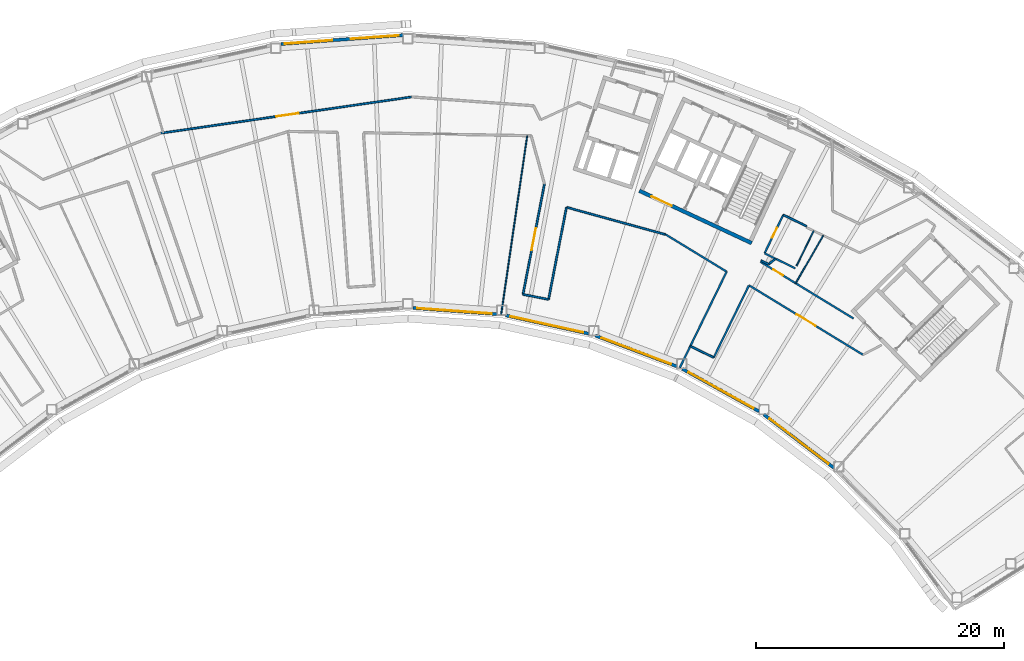
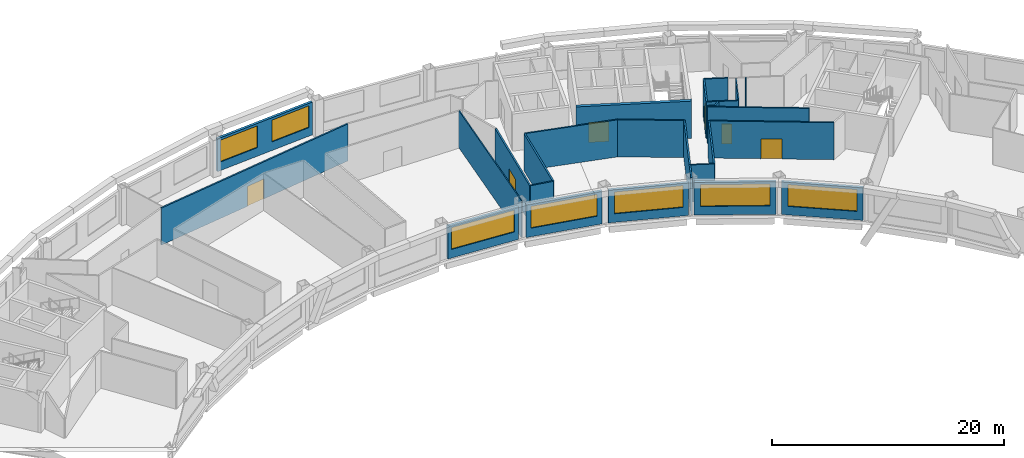
# One storey, part 7 of 13: 26 walls, 7 windows, 6 doors, 13 openings.
"""IFC4 building model written with IfcOpenShell, lengths in metres."""

from ifc_helpers import new_model, si_unit, direction, frame, frame_2d, origin, place, context, subcontext, project, spatial, rectangle, extrude, material, layer, layer_set, type_object, element, fill, save


model = new_model("IFC4")

# Units and contexts
model_context = context("Model", 3, precision=1e-05, world=origin(), true_north=direction((0.0, 1.0)))
body_context = subcontext(model_context, "Body", "Model", "MODEL_VIEW")
ifc_project = project(units=[si_unit("LENGTHUNIT", "METRE"), si_unit("AREAUNIT", "SQUARE_METRE"), si_unit("VOLUMEUNIT", "CUBIC_METRE"), si_unit("PLANEANGLEUNIT", "RADIAN"), si_unit("MASSUNIT", "GRAM", prefix="KILO")], contexts=[model_context])

# Site, building, storey
site_placement = place(None, origin())
site = spatial("IfcSite", under=ifc_project, at=site_placement, CompositionType="ELEMENT")
building_placement = place(site_placement, origin())
building = spatial("IfcBuilding", under=site, at=building_placement, Name="Tuul Gate Civic Tower", CompositionType="ELEMENT")
storey_placement = place(building_placement, frame((0.0, 0.0, 306.800048828125)))
storey = spatial("IfcBuildingStorey", under=building, at=storey_placement, Name="Level 69", CompositionType="ELEMENT", Elevation=306.800048828125)

# Wall, opening, door
ifc_material_1 = material(Name="Concrete C50/60", Category="concrete")
ifc_layer_1 = layer(ifc_material_1, 0.300048828125)
ifc_layer_set_1 = layer_set([ifc_layer_1], Name="Concrete C50/60")
wall_type_1 = type_object("IfcWallType", Name="Core wall C50/60", PredefinedType="SHEAR", material=ifc_layer_set_1)
wall_1_placement = place(storey_placement, frame((34.5283203125, -7.25, 0.0), z_axis=(0.0, 0.0, 1.0), x_axis=(-0.906310338845, 0.422612789327, 0.0)))
wall_1 = element("IfcWall", 1, at=wall_1_placement, inside=storey, type_object=wall_type_1, Name="Core wall", PredefinedType="SHEAR", context=body_context, shape_type="SweptSolid", body=[
    extrude(rectangle(XDim=9.999755859375, YDim=0.300048828125, at=frame_2d((5.0, 0.0))), origin(), (0.0, 0.0, 1.0), 3.89990234375),
])
opening_1_placement = place(wall_1_placement, frame((7.125, 0.0, 0.0)))
opening_1 = element("IfcOpeningElement", 2, at=opening_1_placement, cuts=wall_1, Name="Opening LB-E3-LOBBY-1", PredefinedType="OPENING", context=body_context, shape_type="SweptSolid", body=[
    extrude(rectangle(XDim=1.800048828125, YDim=2.10009765625, at=frame_2d((0.89990234375, 1.050048828125))), frame((0.0, 0.16015625, 0.0), z_axis=(0.0, -1.0, 0.0), x_axis=(1.0, 0.0, 0.0)), (0.0, 0.0, 1.0), 0.320068359375),
])
ifc_material_2 = material(Name="Steel", Category="steel")
door_type_1 = type_object("IfcDoorType", Name="Lobby door", OperationType="DOUBLE_DOOR_SINGLE_SWING", PredefinedType="DOOR", material=ifc_material_2)
door_1_placement = place(opening_1_placement, frame((1.800048828125, 0.0, 0.0), z_axis=(0.0, 0.0, 1.0), x_axis=(-1.0, 0.0, 0.0)))
door_1 = element("IfcDoor", 3, at=door_1_placement, inside=storey, type_object=door_type_1, Name="Lobby door E3-LOBBY", OperationType="DOUBLE_DOOR_SINGLE_SWING", OverallHeight=2.10009765625, OverallWidth=1.800048828125, PredefinedType="DOOR", context=body_context, shape_type="SweptSolid", body=[
    extrude(rectangle(XDim=1.800048828125, YDim=2.10009765625, at=frame_2d((0.900146484375, 1.050048828125))), frame((0.0, 0.02490234375, 0.0), z_axis=(0.0, -1.0, 0.0), x_axis=(1.0, 0.0, 0.0)), (0.0, 0.0, 1.0), 0.050048828125),
])
fill(opening_1, door_1)

ifc_material_3 = material(Name="Gypsum board partition")
ifc_layer_2 = layer(ifc_material_3, 0.14990234375)
ifc_layer_set_2 = layer_set([ifc_layer_2], Name="Gypsum board partition")
wall_type_2 = type_object("IfcWallType", Name="Corridor wall P150", PredefinedType="PARTITIONING", material=ifc_layer_set_2)
wall_2_placement = place(storey_placement, frame((-13.15380859375, 1.62109375, 0.0), z_axis=(0.0, 0.0, 1.0), x_axis=(0.989709337056, 0.143092376259, 0.0)))
wall_2 = element("IfcWall", 4, at=wall_2_placement, inside=storey, type_object=wall_type_2, Name="p019", PredefinedType="PARTITIONING", context=body_context, shape_type="SweptSolid", body=[
    extrude(rectangle(XDim=20.451904296875, YDim=0.14990234375, at=frame_2d((10.22607421875, 0.0))), origin(), (0.0, 0.0, 1.0), 3.89990234375),
])
opening_2_placement = place(wall_2_placement, frame((9.4306640625, 0.0, 0.0)))
opening_2 = element("IfcOpeningElement", 5, at=opening_2_placement, cuts=wall_2, Name="Opening Z-D03", PredefinedType="OPENING", context=body_context, shape_type="SweptSolid", body=[
    extrude(rectangle(XDim=1.800048828125, YDim=2.10009765625, at=frame_2d((0.89990234375, 1.050048828125))), frame((0.0, 0.0849609375, 0.0), z_axis=(0.0, -1.0, 0.0), x_axis=(1.0, 0.0, 0.0)), (0.0, 0.0, 1.0), 0.169921875),
])
ifc_material_4 = material(Name="Timber door leaf, double", Category="wood")
door_type_2 = type_object("IfcDoorType", Name="Door D18", OperationType="DOUBLE_DOOR_SINGLE_SWING", PredefinedType="DOOR", material=ifc_material_4)
door_2_placement = place(opening_2_placement, origin())
door_2 = element("IfcDoor", 6, at=door_2_placement, inside=storey, type_object=door_type_2, Name="Door Z-D03", OperationType="DOUBLE_DOOR_SINGLE_SWING", OverallHeight=2.10009765625, OverallWidth=1.800048828125, PredefinedType="DOOR", context=body_context, shape_type="SweptSolid", body=[
    extrude(rectangle(XDim=1.800048828125, YDim=2.10009765625, at=frame_2d((0.89990234375, 1.050048828125))), frame((0.0, 0.02490234375, 0.0), z_axis=(0.0, -1.0, 0.0), x_axis=(1.0, 0.0, 0.0)), (0.0, 0.0, 1.0), 0.050048828125),
])
fill(opening_2, door_2)

# Wall
wall_3_placement = place(storey_placement, frame((27.579345703125, -6.547119140625, 0.0), z_axis=(0.0, 0.0, 1.0), x_axis=(0.853858797308, -0.520504711084, 0.0)))
element("IfcWall", 7, at=wall_3_placement, inside=storey, type_object=wall_type_2, Name="p029", PredefinedType="PARTITIONING", context=body_context, shape_type="SweptSolid", body=[
    extrude(rectangle(XDim=5.747802734375, YDim=0.14990234375, at=frame_2d((2.8740234375, 0.0))), origin(), (0.0, 0.0, 1.0), 3.89990234375),
])

# Wall, opening, door
wall_4_placement = place(storey_placement, frame((34.322998046875, -10.658203125, 0.0), z_axis=(0.0, 0.0, 1.0), x_axis=(0.853851343104, -0.520516939091, 0.0)))
wall_4 = element("IfcWall", 8, at=wall_4_placement, inside=storey, type_object=wall_type_2, Name="p030", PredefinedType="PARTITIONING", context=body_context, shape_type="SweptSolid", body=[
    extrude(rectangle(XDim=10.74609375, YDim=0.14990234375, at=frame_2d((5.373046875, 0.0))), origin(), (0.0, 0.0, 1.0), 3.89990234375),
])
opening_3_placement = place(wall_4_placement, frame((4.472900390625, 0.0, 0.0)))
opening_3 = element("IfcOpeningElement", 9, at=opening_3_placement, cuts=wall_4, Name="Opening Z-D06", PredefinedType="OPENING", context=body_context, shape_type="SweptSolid", body=[
    extrude(rectangle(XDim=1.800048828125, YDim=2.10009765625, at=frame_2d((0.89990234375, 1.050048828125))), frame((0.0, 0.0849609375, 0.0), z_axis=(0.0, -1.0, 0.0), x_axis=(1.0, 0.0, 0.0)), (0.0, 0.0, 1.0), 0.169921875),
])
door_3_placement = place(opening_3_placement, frame((1.800048828125, 0.0, 0.0), z_axis=(0.0, 0.0, 1.0), x_axis=(-1.0, 0.0, 0.0)))
door_3 = element("IfcDoor", 10, at=door_3_placement, inside=storey, type_object=door_type_2, Name="Door Z-D06", OperationType="DOUBLE_DOOR_SINGLE_SWING", OverallHeight=2.10009765625, OverallWidth=1.800048828125, PredefinedType="DOOR", context=body_context, shape_type="SweptSolid", body=[
    extrude(rectangle(XDim=1.800048828125, YDim=2.10009765625, at=frame_2d((0.900146484375, 1.050048828125))), frame((0.0, 0.02490234375, 0.0), z_axis=(0.0, -1.0, 0.0), x_axis=(1.0, 0.0, 0.0)), (0.0, 0.0, 1.0), 0.050048828125),
])
fill(opening_3, door_3)

# Walls
wall_5_placement = place(storey_placement, frame((28.72802734375, -17.288330078125, 0.0), z_axis=(0.0, 0.0, 1.0), x_axis=(0.438361737628, 0.898798635393, 0.0)))
element("IfcWall", 11, at=wall_5_placement, inside=storey, type_object=wall_type_2, Name="p031", PredefinedType="PARTITIONING", context=body_context, shape_type="SweptSolid", body=[
    extrude(rectangle(XDim=8.62646484375, YDim=0.14990234375, at=frame_2d((4.313232421875, 0.0))), origin(), (0.0, 0.0, 1.0), 3.89990234375),
])
wall_6_placement = place(storey_placement, frame((29.573974609375, -15.5556640625, 0.0), z_axis=(0.0, 0.0, 1.0), x_axis=(0.898804220835, -0.438350285284, 0.0)))
element("IfcWall", 12, at=wall_6_placement, inside=storey, type_object=wall_type_2, Name="p032", PredefinedType="PARTITIONING", context=body_context, shape_type="SweptSolid", body=[
    extrude(rectangle(XDim=2.0986328125, YDim=0.14990234375, at=frame_2d((1.04931640625, 0.0))), origin(), (0.0, 0.0, 1.0), 3.89990234375),
])
wall_7_placement = place(storey_placement, frame((31.461181640625, -16.47509765625, 0.0), z_axis=(0.0, 0.0, 1.0), x_axis=(0.438381949915, 0.898788777182, 0.0)))
element("IfcWall", 13, at=wall_7_placement, inside=storey, type_object=wall_type_2, Name="p033", PredefinedType="PARTITIONING", context=body_context, shape_type="SweptSolid", body=[
    extrude(rectangle(XDim=6.46240234375, YDim=0.14990234375, at=frame_2d((3.231201171875, 0.0))), origin(), (0.0, 0.0, 1.0), 3.89990234375),
])

# Wall, opening, door
wall_8_placement = place(storey_placement, frame((35.560302734375, -8.0703125, 0.0), z_axis=(0.0, 0.0, 1.0), x_axis=(0.438388776305, 0.898785447596, 0.0)))
wall_8 = element("IfcWall", 14, at=wall_8_placement, inside=storey, type_object=wall_type_2, Name="p034", PredefinedType="PARTITIONING", context=body_context, shape_type="SweptSolid", body=[
    extrude(rectangle(XDim=3.449951171875, YDim=0.14990234375, at=frame_2d((1.72509765625, 0.0))), origin(), (0.0, 0.0, 1.0), 3.89990234375),
])
opening_4_placement = place(wall_8_placement, frame((1.389892578125, 0.0, 0.0)))
opening_4 = element("IfcOpeningElement", 15, at=opening_4_placement, cuts=wall_8, Name="Opening Z-D12", PredefinedType="OPENING", context=body_context, shape_type="SweptSolid", body=[
    extrude(rectangle(XDim=0.89990234375, YDim=2.10009765625, at=frame_2d((0.449951171875, 1.050048828125))), frame((0.0, 0.0849609375, 0.0), z_axis=(0.0, -1.0, 0.0), x_axis=(1.0, 0.0, 0.0)), (0.0, 0.0, 1.0), 0.169921875),
])
ifc_material_5 = material(Name="Timber door leaf", Category="wood")
door_type_3 = type_object("IfcDoorType", Name="Door D09", OperationType="NOTDEFINED", PredefinedType="DOOR", material=ifc_material_5)
door_4_placement = place(opening_4_placement, frame((0.89990234375, 0.0, 0.0), z_axis=(0.0, 0.0, 1.0), x_axis=(-1.0, 0.0, 0.0)))
door_4 = element("IfcDoor", 16, at=door_4_placement, inside=storey, type_object=door_type_3, Name="Door Z-D12", OperationType="SINGLE_SWING_LEFT", OverallHeight=2.10009765625, OverallWidth=0.89990234375, PredefinedType="DOOR", context=body_context, shape_type="SweptSolid", body=[
    extrude(rectangle(XDim=0.89990234375, YDim=2.10009765625, at=frame_2d((0.449951171875, 1.050048828125))), frame((0.0, 0.02490234375, 0.0), z_axis=(0.0, -1.0, 0.0), x_axis=(1.0, 0.0, 0.0)), (0.0, 0.0, 1.0), 0.050048828125),
])
fill(opening_4, door_4)

wall_9_placement = place(storey_placement, frame((16.0751953125, -11.38720703125, 0.0), z_axis=(0.0, 0.0, 1.0), x_axis=(0.190793965556, 0.981630104829, 0.0)))
wall_9 = element("IfcWall", 17, at=wall_9_placement, inside=storey, type_object=wall_type_2, Name="p040", PredefinedType="PARTITIONING", context=body_context, shape_type="SweptSolid", body=[
    extrude(rectangle(XDim=9.064697265625, YDim=0.14990234375, at=frame_2d((4.5322265625, 0.0))), origin(), (0.0, 0.0, 1.0), 3.89990234375),
])
opening_5_placement = place(wall_9_placement, frame((3.63232421875, 0.0, 0.0)))
opening_5 = element("IfcOpeningElement", 18, at=opening_5_placement, cuts=wall_9, Name="Opening Z-D07", PredefinedType="OPENING", context=body_context, shape_type="SweptSolid", body=[
    extrude(rectangle(XDim=1.800048828125, YDim=2.10009765625, at=frame_2d((0.89990234375, 1.050048828125))), frame((0.0, 0.0849609375, 0.0), z_axis=(0.0, -1.0, 0.0), x_axis=(1.0, 0.0, 0.0)), (0.0, 0.0, 1.0), 0.169921875),
])
door_5_placement = place(opening_5_placement, origin())
door_5 = element("IfcDoor", 19, at=door_5_placement, inside=storey, type_object=door_type_2, Name="Door Z-D07", OperationType="DOUBLE_DOOR_SINGLE_SWING", OverallHeight=2.10009765625, OverallWidth=1.800048828125, PredefinedType="DOOR", context=body_context, shape_type="SweptSolid", body=[
    extrude(rectangle(XDim=1.800048828125, YDim=2.10009765625, at=frame_2d((0.89990234375, 1.050048828125))), frame((0.0, 0.02490234375, 0.0), z_axis=(0.0, -1.0, 0.0), x_axis=(1.0, 0.0, 0.0)), (0.0, 0.0, 1.0), 0.050048828125),
])
fill(opening_5, door_5)

# Walls
wall_10_placement = place(storey_placement, frame((16.07568359375, -11.387939453125, 0.0), z_axis=(0.0, 0.0, 1.0), x_axis=(0.981626892915, -0.19081049003, 0.0)))
element("IfcWall", 20, at=wall_10_placement, inside=storey, type_object=wall_type_2, Name="p041", PredefinedType="PARTITIONING", context=body_context, shape_type="SweptSolid", body=[
    extrude(rectangle(XDim=2.098388671875, YDim=0.14990234375, at=frame_2d((1.04931640625, 0.0))), origin(), (0.0, 0.0, 1.0), 3.89990234375),
])
wall_11_placement = place(storey_placement, frame((18.136474609375, -11.787841796875, 0.0), z_axis=(0.0, 0.0, 1.0), x_axis=(0.190825553335, 0.981623964762, 0.0)))
element("IfcWall", 21, at=wall_11_placement, inside=storey, type_object=wall_type_2, Name="p042", PredefinedType="PARTITIONING", context=body_context, shape_type="SweptSolid", body=[
    extrude(rectangle(XDim=7.55615234375, YDim=0.14990234375, at=frame_2d((3.778076171875, 0.0))), origin(), (0.0, 0.0, 1.0), 3.89990234375),
])
wall_12_placement = place(storey_placement, frame((19.60546875, -4.355224609375, 0.0), z_axis=(0.0, 0.0, 1.0), x_axis=(0.963808368213, -0.266596004026, 0.0)))
element("IfcWall", 22, at=wall_12_placement, inside=storey, type_object=wall_type_2, Name="p043", PredefinedType="PARTITIONING", context=body_context, shape_type="SweptSolid", body=[
    extrude(rectangle(XDim=8.24462890625, YDim=0.14990234375, at=frame_2d((4.122314453125, 0.0))), origin(), (0.0, 0.0, 1.0), 3.89990234375),
])

# Wall, opening, door
wall_13_placement = place(storey_placement, frame((35.228515625, -8.750732421875, 0.0), z_axis=(0.0, 0.0, 1.0), x_axis=(0.853848247105, -0.520522017705, 0.0)))
wall_13 = element("IfcWall", 23, at=wall_13_placement, inside=storey, type_object=wall_type_2, Name="p076", PredefinedType="PARTITIONING", context=body_context, shape_type="SweptSolid", body=[
    extrude(rectangle(XDim=8.79296875, YDim=0.14990234375, at=frame_2d((4.396484375, 0.0))), origin(), (0.0, 0.0, 1.0), 3.89990234375),
])
opening_6_placement = place(wall_13_placement, frame((1.2294921875, 0.0, 0.0)))
opening_6 = element("IfcOpeningElement", 24, at=opening_6_placement, cuts=wall_13, Name="Opening Z-D13", PredefinedType="OPENING", context=body_context, shape_type="SweptSolid", body=[
    extrude(rectangle(XDim=0.89990234375, YDim=2.10009765625, at=frame_2d((0.449951171875, 1.050048828125))), frame((0.0, 0.0849609375, 0.0), z_axis=(0.0, -1.0, 0.0), x_axis=(1.0, 0.0, 0.0)), (0.0, 0.0, 1.0), 0.169921875),
])
door_6_placement = place(opening_6_placement, frame((0.89990234375, 0.0, 0.0), z_axis=(0.0, 0.0, 1.0), x_axis=(-1.0, 0.0, 0.0)))
door_6 = element("IfcDoor", 25, at=door_6_placement, inside=storey, type_object=door_type_3, Name="Door Z-D13", OperationType="SINGLE_SWING_LEFT", OverallHeight=2.10009765625, OverallWidth=0.89990234375, PredefinedType="DOOR", context=body_context, shape_type="SweptSolid", body=[
    extrude(rectangle(XDim=0.89990234375, YDim=2.10009765625, at=frame_2d((0.449951171875, 1.050048828125))), frame((0.0, 0.02490234375, 0.0), z_axis=(0.0, -1.0, 0.0), x_axis=(1.0, 0.0, 0.0)), (0.0, 0.0, 1.0), 0.050048828125),
])
fill(opening_6, door_6)

# Walls
wall_14_placement = place(storey_placement, frame((37.07275390625, -4.969482421875, 0.0), z_axis=(0.0, 0.0, 1.0), x_axis=(0.898783062939, -0.4383936653, 0.0)))
element("IfcWall", 26, at=wall_14_placement, inside=storey, type_object=wall_type_2, Name="p078", PredefinedType="PARTITIONING", context=body_context, shape_type="SweptSolid", body=[
    extrude(rectangle(XDim=2.086669921875, YDim=0.14990234375, at=frame_2d((1.04345703125, 0.0))), origin(), (0.0, 0.0, 1.0), 3.89990234375),
])
wall_15_placement = place(storey_placement, frame((35.560302734375, -8.0703125, 0.0), z_axis=(0.0, 0.0, 1.0), x_axis=(0.898788847499, -0.438381805748, 0.0)))
element("IfcWall", 27, at=wall_15_placement, inside=storey, type_object=wall_type_2, Name="p081", PredefinedType="PARTITIONING", context=body_context, shape_type="SweptSolid", body=[
    extrude(rectangle(XDim=2.760009765625, YDim=0.14990234375, at=frame_2d((1.3798828125, 0.0))), origin(), (0.0, 0.0, 1.0), 3.89990234375),
])
wall_16_placement = place(storey_placement, frame((35.881591796875, -8.940185546875, 0.0), z_axis=(0.0, 0.0, 1.0), x_axis=(0.809026799602, 0.587771756319, 0.0)))
element("IfcWall", 28, at=wall_16_placement, inside=storey, type_object=wall_type_2, Name="p082", PredefinedType="PARTITIONING", context=body_context, shape_type="SweptSolid", body=[
    extrude(rectangle(XDim=0.72607421875, YDim=0.14990234375, at=frame_2d((0.363037109375, 0.0))), origin(), (0.0, 0.0, 1.0), 3.89990234375),
])
wall_17_placement = place(storey_placement, frame((35.274169921875, -8.656982421875, 0.0), z_axis=(0.0, 0.0, 1.0), x_axis=(0.906331987143, -0.422566360565, 0.0)))
element("IfcWall", 29, at=wall_17_placement, inside=storey, type_object=wall_type_2, Name="p083", PredefinedType="PARTITIONING", context=body_context, shape_type="SweptSolid", body=[
    extrude(rectangle(XDim=0.670166015625, YDim=0.14990234375, at=frame_2d((0.3349609375, 0.0))), origin(), (0.0, 0.0, 1.0), 3.89990234375),
])

# Wall, openings, windows
ifc_material_6 = material(Name="Precast concrete C40/50", Category="concrete")
ifc_layer_3 = layer(ifc_material_6, 0.25)
ifc_layer_set_3 = layer_set([ifc_layer_3], Name="Precast concrete C40/50")
wall_type_3 = type_object("IfcWallType", Name="External wall", PredefinedType="STANDARD", material=ifc_layer_set_3)
wall_18_placement = place(storey_placement, frame((6.387939453125, 9.52880859375, 0.0), z_axis=(0.0, 0.0, 1.0), x_axis=(-0.997387042659, -0.072243249762, 0.0)))
wall_18 = element("IfcWall", 30, at=wall_18_placement, inside=storey, type_object=wall_type_3, Name="External wall", PredefinedType="STANDARD", context=body_context, shape_type="SweptSolid", body=[
    extrude(rectangle(XDim=9.874755859375, YDim=0.25, at=frame_2d((4.9375, 0.0))), origin(), (0.0, 0.0, 1.0), 3.449951171875),
])
opening_7_placement = place(wall_18_placement, frame((0.350341796875, 0.0, 0.89990234375)))
opening_7 = element("IfcOpeningElement", 31, at=opening_7_placement, cuts=wall_18, Name="Opening W22", PredefinedType="OPENING", context=body_context, shape_type="SweptSolid", body=[
    extrude(rectangle(XDim=3.85009765625, YDim=2.300048828125, at=frame_2d((1.925048828125, 1.14990234375))), frame((0.0, 0.135009765625, 0.0), z_axis=(0.0, -1.0, 0.0), x_axis=(1.0, 0.0, 0.0)), (0.0, 0.0, 1.0), 0.27001953125),
])
opening_8_placement = place(wall_18_placement, frame((5.721435546875, 0.0, 0.89990234375)))
opening_8 = element("IfcOpeningElement", 32, at=opening_8_placement, cuts=wall_18, Name="Opening W22", PredefinedType="OPENING", context=body_context, shape_type="SweptSolid", body=[
    extrude(rectangle(XDim=3.85009765625, YDim=2.300048828125, at=frame_2d((1.925048828125, 1.14990234375))), frame((0.0, 0.135009765625, 0.0), z_axis=(0.0, -1.0, 0.0), x_axis=(1.0, 0.0, 0.0)), (0.0, 0.0, 1.0), 0.27001953125),
])
ifc_material_7 = material(Name="Glass", Category="glass")
window_type_1 = type_object("IfcWindowType", Name="Window W22 3850 x 2300", PartitioningType="SINGLE_PANEL", PredefinedType="WINDOW", material=ifc_material_7)
window_1_placement = place(opening_7_placement, origin())
window_1 = element("IfcWindow", 33, at=window_1_placement, inside=storey, type_object=window_type_1, Name="Window", OverallHeight=2.300048828125, OverallWidth=3.85009765625, PartitioningType="SINGLE_PANEL", PredefinedType="WINDOW", context=body_context, shape_type="SweptSolid", body=[
    extrude(rectangle(XDim=3.85009765625, YDim=2.300048828125, at=frame_2d((1.925048828125, 1.14990234375))), frame((0.0, 0.030029296875, 0.0), z_axis=(0.0, -1.0, 0.0), x_axis=(1.0, 0.0, 0.0)), (0.0, 0.0, 1.0), 0.06005859375),
])
fill(opening_7, window_1)
window_2_placement = place(opening_8_placement, origin())
window_2 = element("IfcWindow", 34, at=window_2_placement, inside=storey, type_object=window_type_1, Name="Window", OverallHeight=2.300048828125, OverallWidth=3.85009765625, PartitioningType="SINGLE_PANEL", PredefinedType="WINDOW", context=body_context, shape_type="SweptSolid", body=[
    extrude(rectangle(XDim=3.85009765625, YDim=2.300048828125, at=frame_2d((1.925048828125, 1.14990234375))), frame((0.0, 0.030029296875, 0.0), z_axis=(0.0, -1.0, 0.0), x_axis=(1.0, 0.0, 0.0)), (0.0, 0.0, 1.0), 0.06005859375),
])
fill(opening_8, window_2)

# Wall, opening, window
wall_19_placement = place(storey_placement, frame((7.18798828125, -12.478759765625, 0.0), z_axis=(0.0, 0.0, 1.0), x_axis=(0.997384795983, -0.072274260578, 0.0)))
wall_19 = element("IfcWall", 35, at=wall_19_placement, inside=storey, type_object=wall_type_3, Name="External wall", PredefinedType="STANDARD", context=body_context, shape_type="SweptSolid", body=[
    extrude(rectangle(XDim=6.789794921875, YDim=0.25, at=frame_2d((3.39501953125, 0.0))), origin(), (0.0, 0.0, 1.0), 3.449951171875),
])
opening_9_placement = place(wall_19_placement, frame((0.371337890625, 0.0, 0.89990234375)))
opening_9 = element("IfcOpeningElement", 36, at=opening_9_placement, cuts=wall_19, Name="Opening W26", PredefinedType="OPENING", context=body_context, shape_type="SweptSolid", body=[
    extrude(rectangle(XDim=6.0, YDim=2.300048828125, at=frame_2d((3.0, 1.14990234375))), frame((0.0, 0.135009765625, 0.0), z_axis=(0.0, -1.0, 0.0), x_axis=(1.0, 0.0, 0.0)), (0.0, 0.0, 1.0), 0.27001953125),
])
ifc_material_8 = material(Name="Glass", Category="glass")
window_type_2 = type_object("IfcWindowType", Name="Window W26 6000 x 2300", PartitioningType="SINGLE_PANEL", PredefinedType="WINDOW", material=ifc_material_8)
window_3_placement = place(opening_9_placement, origin())
window_3 = element("IfcWindow", 37, at=window_3_placement, inside=storey, type_object=window_type_2, Name="Window", OverallHeight=2.300048828125, OverallWidth=6.0, PartitioningType="SINGLE_PANEL", PredefinedType="WINDOW", context=body_context, shape_type="SweptSolid", body=[
    extrude(rectangle(XDim=6.0, YDim=2.300048828125, at=frame_2d((3.0, 1.14990234375))), frame((0.0, 0.030029296875, 0.0), z_axis=(0.0, -1.0, 0.0), x_axis=(1.0, 0.0, 0.0)), (0.0, 0.0, 1.0), 0.06005859375),
])
fill(opening_9, window_3)

wall_20_placement = place(storey_placement, frame((14.6669921875, -13.072998046875, 0.0), z_axis=(0.0, 0.0, 1.0), x_axis=(0.976561146318, -0.215240162382, 0.0)))
wall_20 = element("IfcWall", 38, at=wall_20_placement, inside=storey, type_object=wall_type_3, Name="External wall", PredefinedType="STANDARD", context=body_context, shape_type="SweptSolid", body=[
    extrude(rectangle(XDim=6.867919921875, YDim=0.25, at=frame_2d((3.43408203125, 0.0))), origin(), (0.0, 0.0, 1.0), 3.449951171875),
])
opening_10_placement = place(wall_20_placement, frame((0.409912109375, 0.0, 0.89990234375)))
opening_10 = element("IfcOpeningElement", 39, at=opening_10_placement, cuts=wall_20, Name="Opening W26", PredefinedType="OPENING", context=body_context, shape_type="SweptSolid", body=[
    extrude(rectangle(XDim=6.0, YDim=2.300048828125, at=frame_2d((3.0, 1.14990234375))), frame((0.0, 0.135009765625, 0.0), z_axis=(0.0, -1.0, 0.0), x_axis=(1.0, 0.0, 0.0)), (0.0, 0.0, 1.0), 0.27001953125),
])
window_4_placement = place(opening_10_placement, origin())
window_4 = element("IfcWindow", 40, at=window_4_placement, inside=storey, type_object=window_type_2, Name="Window", OverallHeight=2.300048828125, OverallWidth=6.0, PartitioningType="SINGLE_PANEL", PredefinedType="WINDOW", context=body_context, shape_type="SweptSolid", body=[
    extrude(rectangle(XDim=6.0, YDim=2.300048828125, at=frame_2d((3.0, 1.14990234375))), frame((0.0, 0.030029296875, 0.0), z_axis=(0.0, -1.0, 0.0), x_axis=(1.0, 0.0, 0.0)), (0.0, 0.0, 1.0), 0.06005859375),
])
fill(opening_10, window_4)

wall_21_placement = place(storey_placement, frame((21.913818359375, -14.70703125, 0.0), z_axis=(0.0, 0.0, 1.0), x_axis=(0.93536593895, -0.353681438943, 0.0)))
wall_21 = element("IfcWall", 41, at=wall_21_placement, inside=storey, type_object=wall_type_3, Name="External wall", PredefinedType="STANDARD", context=body_context, shape_type="SweptSolid", body=[
    extrude(rectangle(XDim=7.0146484375, YDim=0.25, at=frame_2d((3.50732421875, 0.0))), origin(), (0.0, 0.0, 1.0), 3.449951171875),
])
opening_11_placement = place(wall_21_placement, frame((0.523193359375, 0.0, 0.89990234375)))
opening_11 = element("IfcOpeningElement", 42, at=opening_11_placement, cuts=wall_21, Name="Opening W26", PredefinedType="OPENING", context=body_context, shape_type="SweptSolid", body=[
    extrude(rectangle(XDim=6.0, YDim=2.300048828125, at=frame_2d((3.0, 1.14990234375))), frame((0.0, 0.135009765625, 0.0), z_axis=(0.0, -1.0, 0.0), x_axis=(1.0, 0.0, 0.0)), (0.0, 0.0, 1.0), 0.27001953125),
])
window_5_placement = place(opening_11_placement, origin())
window_5 = element("IfcWindow", 43, at=window_5_placement, inside=storey, type_object=window_type_2, Name="Window", OverallHeight=2.300048828125, OverallWidth=6.0, PartitioningType="SINGLE_PANEL", PredefinedType="WINDOW", context=body_context, shape_type="SweptSolid", body=[
    extrude(rectangle(XDim=6.0, YDim=2.300048828125, at=frame_2d((3.0, 1.14990234375))), frame((0.0, 0.030029296875, 0.0), z_axis=(0.0, -1.0, 0.0), x_axis=(1.0, 0.0, 0.0)), (0.0, 0.0, 1.0), 0.06005859375),
])
fill(opening_11, window_5)

wall_22_placement = place(storey_placement, frame((28.926513671875, -17.39208984375, 0.0), z_axis=(0.0, 0.0, 1.0), x_axis=(0.874628863521, -0.484793101328, 0.0)))
wall_22 = element("IfcWall", 44, at=wall_22_placement, inside=storey, type_object=wall_type_3, Name="External wall", PredefinedType="STANDARD", context=body_context, shape_type="SweptSolid", body=[
    extrude(rectangle(XDim=7.075439453125, YDim=0.25, at=frame_2d((3.53759765625, 0.0))), origin(), (0.0, 0.0, 1.0), 3.449951171875),
])
opening_12_placement = place(wall_22_placement, frame((0.556396484375, 0.0, 0.89990234375)))
opening_12 = element("IfcOpeningElement", 45, at=opening_12_placement, cuts=wall_22, Name="Opening W26", PredefinedType="OPENING", context=body_context, shape_type="SweptSolid", body=[
    extrude(rectangle(XDim=6.0, YDim=2.300048828125, at=frame_2d((3.0, 1.14990234375))), frame((0.0, 0.135009765625, 0.0), z_axis=(0.0, -1.0, 0.0), x_axis=(1.0, 0.0, 0.0)), (0.0, 0.0, 1.0), 0.27001953125),
])
window_6_placement = place(opening_12_placement, origin())
window_6 = element("IfcWindow", 46, at=window_6_placement, inside=storey, type_object=window_type_2, Name="Window", OverallHeight=2.300048828125, OverallWidth=6.0, PartitioningType="SINGLE_PANEL", PredefinedType="WINDOW", context=body_context, shape_type="SweptSolid", body=[
    extrude(rectangle(XDim=6.0, YDim=2.300048828125, at=frame_2d((3.0, 1.14990234375))), frame((0.0, 0.030029296875, 0.0), z_axis=(0.0, -1.0, 0.0), x_axis=(1.0, 0.0, 0.0)), (0.0, 0.0, 1.0), 0.06005859375),
])
fill(opening_12, window_6)

wall_23_placement = place(storey_placement, frame((35.503173828125, -21.072021484375, 0.0), z_axis=(0.0, 0.0, 1.0), x_axis=(0.795582375141, -0.605845429433, 0.0)))
wall_23 = element("IfcWall", 47, at=wall_23_placement, inside=storey, type_object=wall_type_3, Name="External wall", PredefinedType="STANDARD", context=body_context, shape_type="SweptSolid", body=[
    extrude(rectangle(XDim=7.10400390625, YDim=0.25, at=frame_2d((3.552001953125, 0.0))), origin(), (0.0, 0.0, 1.0), 3.449951171875),
])
opening_13_placement = place(wall_23_placement, frame((0.562744140625, 0.0, 0.89990234375)))
opening_13 = element("IfcOpeningElement", 48, at=opening_13_placement, cuts=wall_23, Name="Opening W26", PredefinedType="OPENING", context=body_context, shape_type="SweptSolid", body=[
    extrude(rectangle(XDim=6.0, YDim=2.300048828125, at=frame_2d((3.0, 1.14990234375))), frame((0.0, 0.135009765625, 0.0), z_axis=(0.0, -1.0, 0.0), x_axis=(1.0, 0.0, 0.0)), (0.0, 0.0, 1.0), 0.27001953125),
])
window_7_placement = place(opening_13_placement, origin())
window_7 = element("IfcWindow", 49, at=window_7_placement, inside=storey, type_object=window_type_2, Name="Window", OverallHeight=2.300048828125, OverallWidth=6.0, PartitioningType="SINGLE_PANEL", PredefinedType="WINDOW", context=body_context, shape_type="SweptSolid", body=[
    extrude(rectangle(XDim=6.0, YDim=2.300048828125, at=frame_2d((3.0, 1.14990234375))), frame((0.0, 0.030029296875, 0.0), z_axis=(0.0, -1.0, 0.0), x_axis=(1.0, 0.0, 0.0)), (0.0, 0.0, 1.0), 0.06005859375),
])
fill(opening_13, window_7)

# Walls
ifc_material_9 = material(Name="Gypsum board partition")
ifc_layer_4 = layer(ifc_material_9, 0.10009765625)
ifc_layer_set_4 = layer_set([ifc_layer_4], Name="Gypsum board partition")
wall_type_4 = type_object("IfcWallType", Name="Partition P100", PredefinedType="PARTITIONING", material=ifc_layer_set_4)
wall_24_placement = place(storey_placement, frame((14.3125, -13.0, 0.0), z_axis=(0.0, 0.0, 1.0), x_axis=(0.144108356263, 0.989561914008, 0.0)))
element("IfcWall", 50, at=wall_24_placement, inside=storey, type_object=wall_type_4, Name="p036", PredefinedType="PARTITIONING", context=body_context, shape_type="SweptSolid", body=[
    extrude(rectangle(XDim=14.57470703125, YDim=0.10009765625, at=frame_2d((7.287353515625, 0.0))), origin(), (0.0, 0.0, 1.0), 3.89990234375),
])
wall_25_placement = place(storey_placement, frame((38.071044921875, -10.4833984375, 0.0), z_axis=(0.0, 0.0, 1.0), x_axis=(0.500000840671, 0.866024918422, 0.0)))
element("IfcWall", 51, at=wall_25_placement, inside=storey, type_object=wall_type_4, Name="p077", PredefinedType="PARTITIONING", context=body_context, shape_type="SweptSolid", body=[
    extrude(rectangle(XDim=4.45361328125, YDim=0.10009765625, at=frame_2d((2.226806640625, 0.0))), origin(), (0.0, 0.0, 1.0), 3.89990234375),
])
wall_26_placement = place(storey_placement, frame((38.141845703125, -9.073486328125, 0.0), z_axis=(0.0, 0.0, 1.0), x_axis=(0.438379150526, 0.898790142572, 0.0)))
element("IfcWall", 52, at=wall_26_placement, inside=storey, type_object=wall_type_4, Name="p079", PredefinedType="PARTITIONING", context=body_context, shape_type="SweptSolid", body=[
    extrude(rectangle(XDim=3.135986328125, YDim=0.10009765625, at=frame_2d((1.56787109375, 0.0))), origin(), (0.0, 0.0, 1.0), 3.89990234375),
])

save(model, "model.ifc")
